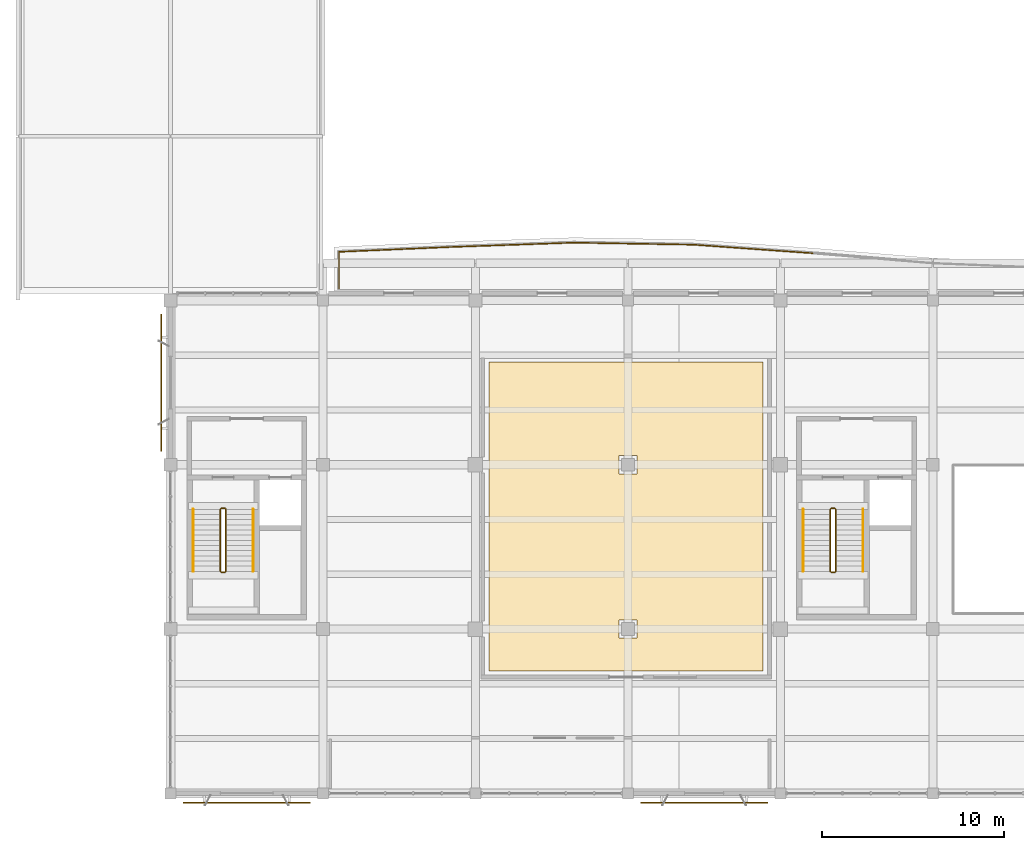
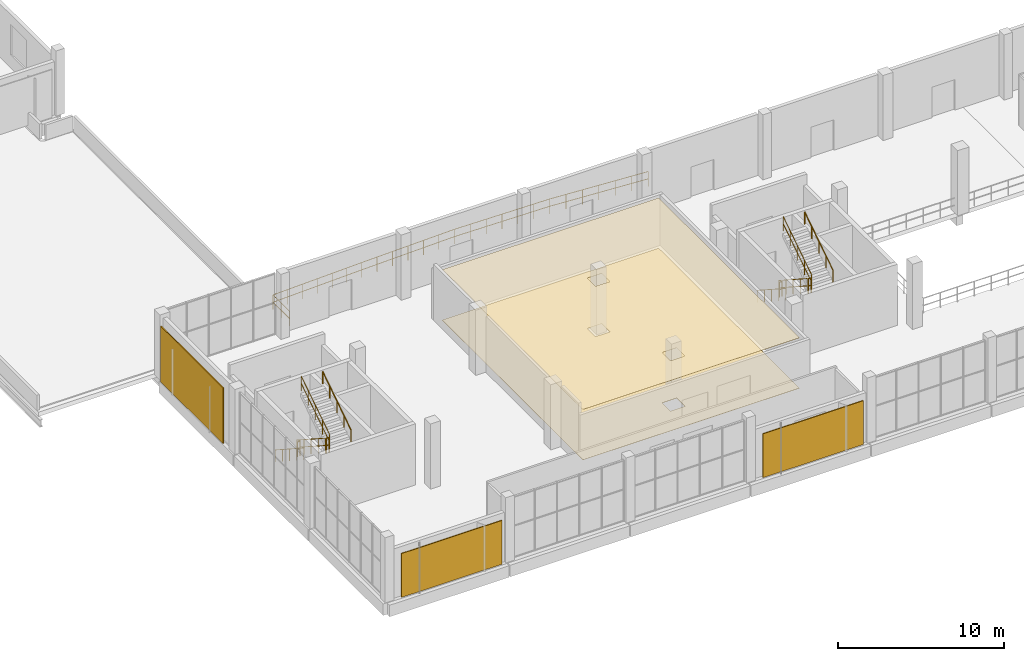
# One storey, part 69 of 80: 17 railings, 3 shading devices, 2 coverings.
"""IFC4 building model written with IfcOpenShell, lengths in metres."""

from ifc_helpers import new_model, si_unit, direction, frame, origin, origin_2d, place, context, subcontext, project, spatial, polyline, rectangle, circle, outline, extrude, material, layer, layer_set, type_object, element, save


model = new_model("IFC4")

# Units and contexts
model_context = context("Model", 3, precision=1e-05, world=origin(), true_north=direction((0.0, 1.0)))
body_context = subcontext(model_context, "Body", "Model", "MODEL_VIEW")
ifc_project = project(units=[si_unit("LENGTHUNIT", "METRE"), si_unit("AREAUNIT", "SQUARE_METRE"), si_unit("VOLUMEUNIT", "CUBIC_METRE"), si_unit("PLANEANGLEUNIT", "RADIAN"), si_unit("MASSUNIT", "GRAM", prefix="KILO")], contexts=[model_context])

# Site, building, storey
site_placement = place(None, origin())
site = spatial("IfcSite", under=ifc_project, at=site_placement, CompositionType="ELEMENT")
building_placement = place(site_placement, origin())
building = spatial("IfcBuilding", under=site, at=building_placement, Name="Khurvash Pelagic Aquarium", CompositionType="ELEMENT")
storey_placement = place(building_placement, frame((0.0, 0.0, 10.800048828125)))
storey = spatial("IfcBuildingStorey", under=building, at=storey_placement, Name="L02", CompositionType="ELEMENT", Elevation=10.800048828125)

# Railings
ifc_material_1 = material(Name="Laminated glass and stainless steel 316", Category="steel")
railing_type_1 = type_object("IfcRailingType", Name="BL-01", PredefinedType="BALUSTRADE", material=ifc_material_1)
railing_1_placement = place(storey_placement, frame((34.47998046875, 30.429931640625, 0.0)))
element("IfcRailing", 1, at=railing_1_placement, inside=storey, type_object=railing_type_1, Name="L02 Planted Terrace Perimeter Balustrade BL-01 0016", PredefinedType="BALUSTRADE", context=body_context, shape_type="SweptSolid", body=[
    extrude(circle(Radius=0.02392578125, at=origin_2d()), frame((0.0, 0.0, 1.076171875), z_axis=(0.0, 1.0, 0.0), x_axis=(-1.0, 0.0, 0.0)), (0.0, 0.0, 1.0), 2.001953125),
    extrude(circle(Radius=0.02392578125, at=origin_2d()), frame((0.0, 0.0, 0.5380859375), z_axis=(0.0, 1.0, 0.0), x_axis=(-1.0, 0.0, 0.0)), (0.0, 0.0, 1.0), 2.001953125),
    extrude(circle(Radius=0.02099609375, at=origin_2d()), origin(), (0.0, 0.0, 1.0), 1.052001953125),
    extrude(circle(Radius=0.02099609375, at=origin_2d()), frame((0.0, 1.0009765625, 0.0)), (0.0, 0.0, 1.0), 1.052001953125),
    extrude(circle(Radius=0.02099609375, at=origin_2d()), frame((0.0, 2.001953125, 0.0)), (0.0, 0.0, 1.0), 1.052001953125),
])
railing_2_placement = place(storey_placement, frame((34.47998046875, 32.431884765625, 0.0)))
element("IfcRailing", 2, at=railing_2_placement, inside=storey, type_object=railing_type_1, Name="L02 Planted Terrace Perimeter Balustrade BL-01 0017", PredefinedType="BALUSTRADE", context=body_context, shape_type="SweptSolid", body=[
    extrude(circle(Radius=0.02392578125, at=origin_2d()), frame((0.0, 0.0, 1.076171875), z_axis=(0.999070280019, 0.043111200191, 0.0), x_axis=(-0.043111200191, 0.999070280019, 0.0)), (0.0, 0.0, 1.0), 6.3369140625),
    extrude(circle(Radius=0.02392578125, at=origin_2d()), frame((0.0, 0.0, 0.5380859375), z_axis=(0.999070280019, 0.043111200191, 0.0), x_axis=(-0.043111200191, 0.999070280019, 0.0)), (0.0, 0.0, 1.0), 6.3369140625),
    extrude(circle(Radius=0.02099609375, at=origin_2d()), origin(), (0.0, 0.0, 1.0), 1.052001953125),
    extrude(circle(Radius=0.02099609375, at=origin_2d()), frame((1.05517578125, 0.04541015625, 0.0)), (0.0, 0.0, 1.0), 1.052001953125),
    extrude(circle(Radius=0.02099609375, at=origin_2d()), frame((2.1103515625, 0.091064453125, 0.0)), (0.0, 0.0, 1.0), 1.052001953125),
    extrude(circle(Radius=0.02099609375, at=origin_2d()), frame((3.16552734375, 0.13671875, 0.0)), (0.0, 0.0, 1.0), 1.052001953125),
    extrude(circle(Radius=0.02099609375, at=origin_2d()), frame((4.220703125, 0.18212890625, 0.0)), (0.0, 0.0, 1.0), 1.052001953125),
    extrude(circle(Radius=0.02099609375, at=origin_2d()), frame((5.27587890625, 0.2275390625, 0.0)), (0.0, 0.0, 1.0), 1.052001953125),
    extrude(circle(Radius=0.02099609375, at=origin_2d()), frame((6.3310546875, 0.273193359375, 0.0)), (0.0, 0.0, 1.0), 1.052001953125),
])
railing_3_placement = place(storey_placement, frame((40.81103515625, 32.705078125, 0.0)))
element("IfcRailing", 3, at=railing_3_placement, inside=storey, type_object=railing_type_1, Name="L02 Planted Terrace Perimeter Balustrade BL-01 0018", PredefinedType="BALUSTRADE", context=body_context, shape_type="SweptSolid", body=[
    extrude(circle(Radius=0.02392578125, at=origin_2d()), frame((0.0, 0.0, 1.076171875), z_axis=(0.999381621283, 0.035162125115, 0.0), x_axis=(-0.035162125115, 0.999381621283, 0.0)), (0.0, 0.0, 1.0), 6.59619140625),
    extrude(circle(Radius=0.02392578125, at=origin_2d()), frame((0.0, 0.0, 0.5380859375), z_axis=(0.999381621283, 0.035162125115, 0.0), x_axis=(-0.035162125115, 0.999381621283, 0.0)), (0.0, 0.0, 1.0), 6.59619140625),
    extrude(circle(Radius=0.02099609375, at=origin_2d()), origin(), (0.0, 0.0, 1.0), 1.052001953125),
    extrude(circle(Radius=0.02099609375, at=origin_2d()), frame((1.0986328125, 0.03857421875, 0.0)), (0.0, 0.0, 1.0), 1.052001953125),
    extrude(circle(Radius=0.02099609375, at=origin_2d()), frame((2.197265625, 0.077392578125, 0.0)), (0.0, 0.0, 1.0), 1.052001953125),
    extrude(circle(Radius=0.02099609375, at=origin_2d()), frame((3.2958984375, 0.115966796875, 0.0)), (0.0, 0.0, 1.0), 1.052001953125),
    extrude(circle(Radius=0.02099609375, at=origin_2d()), frame((4.394775390625, 0.154541015625, 0.0)), (0.0, 0.0, 1.0), 1.052001953125),
    extrude(circle(Radius=0.02099609375, at=origin_2d()), frame((5.493408203125, 0.193359375, 0.0)), (0.0, 0.0, 1.0), 1.052001953125),
    extrude(circle(Radius=0.02099609375, at=origin_2d()), frame((6.592041015625, 0.23193359375, 0.0)), (0.0, 0.0, 1.0), 1.052001953125),
])
railing_4_placement = place(storey_placement, frame((47.403076171875, 32.93701171875, 0.0)))
element("IfcRailing", 4, at=railing_4_placement, inside=storey, type_object=railing_type_1, Name="L02 Planted Terrace Perimeter Balustrade BL-01 0019", PredefinedType="BALUSTRADE", context=body_context, shape_type="SweptSolid", body=[
    extrude(circle(Radius=0.02392578125, at=origin_2d()), frame((0.0, 0.0, 1.076171875), z_axis=(0.999857742944, -0.016866946205, 0.0), x_axis=(0.016866946205, 0.999857742944, 0.0)), (0.0, 0.0, 1.0), 6.5859375),
    extrude(circle(Radius=0.02392578125, at=origin_2d()), frame((0.0, 0.0, 0.5380859375), z_axis=(0.999857742944, -0.016866946205, 0.0), x_axis=(0.016866946205, 0.999857742944, 0.0)), (0.0, 0.0, 1.0), 6.5859375),
    extrude(circle(Radius=0.02099609375, at=origin_2d()), origin(), (0.0, 0.0, 1.0), 1.052001953125),
    extrude(circle(Radius=0.02099609375, at=origin_2d()), frame((1.097412109375, -0.0185546875, 0.0)), (0.0, 0.0, 1.0), 1.052001953125),
    extrude(circle(Radius=0.02099609375, at=origin_2d()), frame((2.195068359375, -0.037109375, 0.0)), (0.0, 0.0, 1.0), 1.052001953125),
    extrude(circle(Radius=0.02099609375, at=origin_2d()), frame((3.29248046875, -0.0556640625, 0.0)), (0.0, 0.0, 1.0), 1.052001953125),
    extrude(circle(Radius=0.02099609375, at=origin_2d()), frame((4.389892578125, -0.073974609375, 0.0)), (0.0, 0.0, 1.0), 1.052001953125),
    extrude(circle(Radius=0.02099609375, at=origin_2d()), frame((5.487548828125, -0.092529296875, 0.0)), (0.0, 0.0, 1.0), 1.052001953125),
    extrude(circle(Radius=0.02099609375, at=origin_2d()), frame((6.5849609375, -0.111083984375, 0.0)), (0.0, 0.0, 1.0), 1.052001953125),
])
railing_5_placement = place(storey_placement, frame((53.988037109375, 32.825927734375, 0.0)))
element("IfcRailing", 5, at=railing_5_placement, inside=storey, type_object=railing_type_1, Name="L02 Planted Terrace Perimeter Balustrade BL-01 0020", PredefinedType="BALUSTRADE", context=body_context, shape_type="SweptSolid", body=[
    extrude(circle(Radius=0.02392578125, at=origin_2d()), frame((0.0, 0.0, 1.076171875), z_axis=(0.997466572283, -0.071136749839, 0.0), x_axis=(0.071136749839, 0.997466572283, 0.0)), (0.0, 0.0, 1.0), 6.606689453125),
    extrude(circle(Radius=0.02392578125, at=origin_2d()), frame((0.0, 0.0, 0.5380859375), z_axis=(0.997466572283, -0.071136749839, 0.0), x_axis=(0.071136749839, 0.997466572283, 0.0)), (0.0, 0.0, 1.0), 6.606689453125),
    extrude(circle(Radius=0.02099609375, at=origin_2d()), origin(), (0.0, 0.0, 1.0), 1.052001953125),
    extrude(circle(Radius=0.02099609375, at=origin_2d()), frame((1.098388671875, -0.078369140625, 0.0)), (0.0, 0.0, 1.0), 1.052001953125),
    extrude(circle(Radius=0.02099609375, at=origin_2d()), frame((2.196533203125, -0.15673828125, 0.0)), (0.0, 0.0, 1.0), 1.052001953125),
    extrude(circle(Radius=0.02099609375, at=origin_2d()), frame((3.294921875, -0.23486328125, 0.0)), (0.0, 0.0, 1.0), 1.052001953125),
    extrude(circle(Radius=0.02099609375, at=origin_2d()), frame((4.393310546875, -0.313232421875, 0.0)), (0.0, 0.0, 1.0), 1.052001953125),
    extrude(circle(Radius=0.02099609375, at=origin_2d()), frame((5.491455078125, -0.3916015625, 0.0)), (0.0, 0.0, 1.0), 1.052001953125),
    extrude(circle(Radius=0.02099609375, at=origin_2d()), frame((6.58984375, -0.469970703125, 0.0)), (0.0, 0.0, 1.0), 1.052001953125),
])

# Coverings
ifc_material_2 = material(Name="Moisture-resistant acoustic mineral-fibre ceiling", Category="finish")
ifc_layer_1 = layer(ifc_material_2, 0.02490234375)
ifc_layer_set_1 = layer_set([ifc_layer_1], Name="Moisture-resistant acoustic mineral-fibre ceiling")
covering_type_1 = type_object("IfcCoveringType", Name="CV-CLG", PredefinedType="CEILING", material=ifc_layer_set_1)
covering_1_placement = place(storey_placement, frame((0.0, 0.0, 3.704833984375)))
element("IfcCovering", 6, at=covering_1_placement, inside=storey, type_object=covering_type_1, Name="L02 Himalayan Snow Trout Coldwater Gallery Suspended Acoustic Ceiling", PredefinedType="CEILING", context=body_context, shape_type="SweptSolid", body=[
    extrude(outline(polyline([(42.75, 26.35009765625), (42.75, 9.35009765625), (57.85009765625, 9.35009765625), (57.85009765625, 26.35009765625), (42.75, 26.35009765625)]), holes=[polyline([(50.89990234375, 12.14990234375), (50.89990234375, 11.14990234375), (49.89990234375, 11.14990234375), (49.89990234375, 12.14990234375), (50.89990234375, 12.14990234375)]), polyline([(50.89990234375, 20.199951171875), (49.89990234375, 20.199951171875), (49.89990234375, 21.199951171875), (50.89990234375, 21.199951171875), (50.89990234375, 20.199951171875)])]), origin(), (0.0, 0.0, 1.0), 0.025146484375),
])
ifc_material_3 = material(Name="Slip-resistant terrazzo and epoxy resin flooring", Category="finish")
ifc_layer_2 = layer(ifc_material_3, 0.02001953125)
ifc_layer_set_2 = layer_set([ifc_layer_2], Name="Slip-resistant terrazzo and epoxy resin flooring")
covering_type_2 = type_object("IfcCoveringType", Name="CV-FLR", PredefinedType="FLOORING", material=ifc_layer_set_2)
covering_2_placement = place(storey_placement, origin())
element("IfcCovering", 7, at=covering_2_placement, inside=storey, type_object=covering_type_2, Name="L02 Himalayan Snow Trout Coldwater Gallery Terrazzo Floor Finish", PredefinedType="FLOORING", context=body_context, shape_type="SweptSolid", body=[
    extrude(outline(polyline([(42.75, 26.35009765625), (42.75, 9.35009765625), (57.85009765625, 9.35009765625), (57.85009765625, 26.35009765625), (42.75, 26.35009765625)]), holes=[polyline([(50.89990234375, 12.14990234375), (50.89990234375, 11.14990234375), (49.89990234375, 11.14990234375), (49.89990234375, 12.14990234375), (50.89990234375, 12.14990234375)]), polyline([(50.89990234375, 20.199951171875), (49.89990234375, 20.199951171875), (49.89990234375, 21.199951171875), (50.89990234375, 21.199951171875), (50.89990234375, 20.199951171875)])]), origin(), (0.0, 0.0, 1.0), 0.02001953125),
])

# Railings
ifc_material_4 = material(Name="Powder-coated galvanised steel S355J2", Category="steel")
railing_type_2 = type_object("IfcRailingType", Name="GR-01", PredefinedType="GUARDRAIL", material=ifc_material_4)
railing_6_placement = place(storey_placement, frame((27.949951171875, 18.25, 0.1845703125)))
element("IfcRailing", 8, at=railing_6_placement, inside=storey, type_object=railing_type_2, Name="L02 ST-01 stair guard 1", PredefinedType="GUARDRAIL", context=body_context, shape_type="SweptSolid", body=[
    extrude(circle(Radius=0.02392578125, at=origin_2d()), frame((0.0, 0.0, 1.076171875), z_axis=(0.0, -0.839296777647, 0.54367354086), x_axis=(1.0, 0.0, 0.0)), (0.0, 0.0, 1.0), 4.07470703125),
    extrude(circle(Radius=0.02392578125, at=origin_2d()), frame((0.0, 0.0, 0.5380859375), z_axis=(0.0, -0.839296777647, 0.54367354086), x_axis=(1.0, 0.0, 0.0)), (0.0, 0.0, 1.0), 4.07470703125),
    extrude(circle(Radius=0.02099609375, at=origin_2d()), origin(), (0.0, 0.0, 1.0), 1.052001953125),
    extrude(circle(Radius=0.02099609375, at=origin_2d()), frame((0.0, -0.85498046875, 0.5537109375)), (0.0, 0.0, 1.0), 1.052001953125),
    extrude(circle(Radius=0.02099609375, at=origin_2d()), frame((0.0, -1.7099609375, 1.107666015625)), (0.0, 0.0, 1.0), 1.052001953125),
    extrude(circle(Radius=0.02099609375, at=origin_2d()), frame((0.0, -2.56494140625, 1.66162109375)), (0.0, 0.0, 1.0), 1.052001953125),
    extrude(circle(Radius=0.02099609375, at=origin_2d()), frame((0.0, -3.419921875, 2.21533203125)), (0.0, 0.0, 1.0), 1.052001953125),
])
railing_7_placement = place(storey_placement, frame((28.0, 14.780029296875, 2.39990234375)))
element("IfcRailing", 9, at=railing_7_placement, inside=storey, type_object=railing_type_2, Name="L02 ST-01 stair guard 2", PredefinedType="GUARDRAIL", context=body_context, shape_type="SweptSolid", body=[
    extrude(circle(Radius=0.02392578125, at=origin_2d()), frame((0.0, 0.0, 1.076171875), z_axis=(1.0, 0.0, 0.0), x_axis=(0.0, 1.0, 0.0)), (0.0, 0.0, 1.0), 0.199951171875),
    extrude(circle(Radius=0.02392578125, at=origin_2d()), frame((0.0, 0.0, 0.5380859375), z_axis=(1.0, 0.0, 0.0), x_axis=(0.0, 1.0, 0.0)), (0.0, 0.0, 1.0), 0.199951171875),
    extrude(circle(Radius=0.02099609375, at=origin_2d()), origin(), (0.0, 0.0, 1.0), 1.052001953125),
    extrude(circle(Radius=0.02099609375, at=origin_2d()), frame((0.199951171875, 0.0, 0.0)), (0.0, 0.0, 1.0), 1.052001953125),
])
railing_8_placement = place(storey_placement, frame((28.25, 14.830078125, 2.58447265625)))
element("IfcRailing", 10, at=railing_8_placement, inside=storey, type_object=railing_type_2, Name="L02 ST-01 stair guard 3", PredefinedType="GUARDRAIL", context=body_context, shape_type="SweptSolid", body=[
    extrude(circle(Radius=0.02392578125, at=origin_2d()), frame((0.0, 0.0, 1.076171875), z_axis=(0.0, 0.839269437812, 0.543715744442), x_axis=(-1.0, 0.0, 0.0)), (0.0, 0.0, 1.0), 4.074951171875),
    extrude(circle(Radius=0.02392578125, at=origin_2d()), frame((0.0, 0.0, 0.5380859375), z_axis=(0.0, 0.839269437812, 0.543715744442), x_axis=(-1.0, 0.0, 0.0)), (0.0, 0.0, 1.0), 4.074951171875),
    extrude(circle(Radius=0.02099609375, at=origin_2d()), origin(), (0.0, 0.0, 1.0), 1.052001953125),
    extrude(circle(Radius=0.02099609375, at=origin_2d()), frame((0.0, 0.85498046875, 0.553955078125)), (0.0, 0.0, 1.0), 1.052001953125),
    extrude(circle(Radius=0.02099609375, at=origin_2d()), frame((0.0, 1.7099609375, 1.10791015625)), (0.0, 0.0, 1.0), 1.052001953125),
    extrude(circle(Radius=0.02099609375, at=origin_2d()), frame((0.0, 2.56494140625, 1.66162109375)), (0.0, 0.0, 1.0), 1.052001953125),
    extrude(circle(Radius=0.02099609375, at=origin_2d()), frame((0.0, 3.419921875, 2.215576171875)), (0.0, 0.0, 1.0), 1.052001953125),
])
railing_9_placement = place(storey_placement, frame((28.0, 18.300048828125, 0.0)))
element("IfcRailing", 11, at=railing_9_placement, inside=storey, type_object=railing_type_2, Name="L02 ST-01 stair guard 4", PredefinedType="GUARDRAIL", context=body_context, shape_type="SweptSolid", body=[
    extrude(circle(Radius=0.02392578125, at=origin_2d()), frame((0.0, 0.0, 1.076171875), z_axis=(1.0, 0.0, 0.0), x_axis=(0.0, 1.0, 0.0)), (0.0, 0.0, 1.0), 0.199951171875),
    extrude(circle(Radius=0.02392578125, at=origin_2d()), frame((0.0, 0.0, 0.5380859375), z_axis=(1.0, 0.0, 0.0), x_axis=(0.0, 1.0, 0.0)), (0.0, 0.0, 1.0), 0.199951171875),
    extrude(circle(Radius=0.02099609375, at=origin_2d()), origin(), (0.0, 0.0, 1.0), 1.052001953125),
    extrude(circle(Radius=0.02099609375, at=origin_2d()), frame((0.199951171875, 0.0, 0.0)), (0.0, 0.0, 1.0), 1.052001953125),
])
railing_10_placement = place(storey_placement, frame((61.550048828125, 18.25, 0.1845703125)))
element("IfcRailing", 12, at=railing_10_placement, inside=storey, type_object=railing_type_2, Name="L02 ST-02 stair guard 1", PredefinedType="GUARDRAIL", context=body_context, shape_type="SweptSolid", body=[
    extrude(circle(Radius=0.02392578125, at=origin_2d()), frame((0.0, 0.0, 1.076171875), z_axis=(0.0, -0.839296777647, 0.54367354086), x_axis=(1.0, 0.0, 0.0)), (0.0, 0.0, 1.0), 4.07470703125),
    extrude(circle(Radius=0.02392578125, at=origin_2d()), frame((0.0, 0.0, 0.5380859375), z_axis=(0.0, -0.839296777647, 0.54367354086), x_axis=(1.0, 0.0, 0.0)), (0.0, 0.0, 1.0), 4.07470703125),
    extrude(circle(Radius=0.02099609375, at=origin_2d()), origin(), (0.0, 0.0, 1.0), 1.052001953125),
    extrude(circle(Radius=0.02099609375, at=origin_2d()), frame((0.0, -0.85498046875, 0.5537109375)), (0.0, 0.0, 1.0), 1.052001953125),
    extrude(circle(Radius=0.02099609375, at=origin_2d()), frame((0.0, -1.7099609375, 1.107666015625)), (0.0, 0.0, 1.0), 1.052001953125),
    extrude(circle(Radius=0.02099609375, at=origin_2d()), frame((0.0, -2.56494140625, 1.66162109375)), (0.0, 0.0, 1.0), 1.052001953125),
    extrude(circle(Radius=0.02099609375, at=origin_2d()), frame((0.0, -3.419921875, 2.21533203125)), (0.0, 0.0, 1.0), 1.052001953125),
])
railing_11_placement = place(storey_placement, frame((61.60009765625, 14.780029296875, 2.39990234375)))
element("IfcRailing", 13, at=railing_11_placement, inside=storey, type_object=railing_type_2, Name="L02 ST-02 stair guard 2", PredefinedType="GUARDRAIL", context=body_context, shape_type="SweptSolid", body=[
    extrude(circle(Radius=0.02392578125, at=origin_2d()), frame((0.0, 0.0, 1.076171875), z_axis=(1.0, 0.0, 0.0), x_axis=(0.0, 1.0, 0.0)), (0.0, 0.0, 1.0), 0.199951171875),
    extrude(circle(Radius=0.02392578125, at=origin_2d()), frame((0.0, 0.0, 0.5380859375), z_axis=(1.0, 0.0, 0.0), x_axis=(0.0, 1.0, 0.0)), (0.0, 0.0, 1.0), 0.199951171875),
    extrude(circle(Radius=0.02099609375, at=origin_2d()), origin(), (0.0, 0.0, 1.0), 1.052001953125),
    extrude(circle(Radius=0.02099609375, at=origin_2d()), frame((0.199951171875, 0.0, 0.0)), (0.0, 0.0, 1.0), 1.052001953125),
])
railing_12_placement = place(storey_placement, frame((61.85009765625, 14.830078125, 2.58447265625)))
element("IfcRailing", 14, at=railing_12_placement, inside=storey, type_object=railing_type_2, Name="L02 ST-02 stair guard 3", PredefinedType="GUARDRAIL", context=body_context, shape_type="SweptSolid", body=[
    extrude(circle(Radius=0.02392578125, at=origin_2d()), frame((0.0, 0.0, 1.076171875), z_axis=(0.0, 0.839269437812, 0.543715744442), x_axis=(-1.0, 0.0, 0.0)), (0.0, 0.0, 1.0), 4.074951171875),
    extrude(circle(Radius=0.02392578125, at=origin_2d()), frame((0.0, 0.0, 0.5380859375), z_axis=(0.0, 0.839269437812, 0.543715744442), x_axis=(-1.0, 0.0, 0.0)), (0.0, 0.0, 1.0), 4.074951171875),
    extrude(circle(Radius=0.02099609375, at=origin_2d()), origin(), (0.0, 0.0, 1.0), 1.052001953125),
    extrude(circle(Radius=0.02099609375, at=origin_2d()), frame((0.0, 0.85498046875, 0.553955078125)), (0.0, 0.0, 1.0), 1.052001953125),
    extrude(circle(Radius=0.02099609375, at=origin_2d()), frame((0.0, 1.7099609375, 1.10791015625)), (0.0, 0.0, 1.0), 1.052001953125),
    extrude(circle(Radius=0.02099609375, at=origin_2d()), frame((0.0, 2.56494140625, 1.66162109375)), (0.0, 0.0, 1.0), 1.052001953125),
    extrude(circle(Radius=0.02099609375, at=origin_2d()), frame((0.0, 3.419921875, 2.215576171875)), (0.0, 0.0, 1.0), 1.052001953125),
])
railing_13_placement = place(storey_placement, frame((61.60009765625, 18.300048828125, 0.0)))
element("IfcRailing", 15, at=railing_13_placement, inside=storey, type_object=railing_type_2, Name="L02 ST-02 stair guard 4", PredefinedType="GUARDRAIL", context=body_context, shape_type="SweptSolid", body=[
    extrude(circle(Radius=0.02392578125, at=origin_2d()), frame((0.0, 0.0, 1.076171875), z_axis=(1.0, 0.0, 0.0), x_axis=(0.0, 1.0, 0.0)), (0.0, 0.0, 1.0), 0.199951171875),
    extrude(circle(Radius=0.02392578125, at=origin_2d()), frame((0.0, 0.0, 0.5380859375), z_axis=(1.0, 0.0, 0.0), x_axis=(0.0, 1.0, 0.0)), (0.0, 0.0, 1.0), 0.199951171875),
    extrude(circle(Radius=0.02099609375, at=origin_2d()), origin(), (0.0, 0.0, 1.0), 1.052001953125),
    extrude(circle(Radius=0.02099609375, at=origin_2d()), frame((0.199951171875, 0.0, 0.0)), (0.0, 0.0, 1.0), 1.052001953125),
])
ifc_material_5 = material(Name="Brushed stainless steel 316", Category="steel")
railing_type_3 = type_object("IfcRailingType", Name="HR-01", PredefinedType="HANDRAIL", material=ifc_material_5)
railing_14_placement = place(storey_placement, frame((26.449951171875, 18.25, 0.1845703125)))
element("IfcRailing", 16, at=railing_14_placement, inside=storey, type_object=railing_type_3, Name="L02 ST-01 stair handrail 1", PredefinedType="HANDRAIL", context=body_context, shape_type="SweptSolid", body=[
    extrude(circle(Radius=0.02392578125, at=origin_2d()), frame((0.0, 0.0, 0.8759765625), z_axis=(0.0, -0.839296777647, 0.54367354086), x_axis=(1.0, 0.0, 0.0)), (0.0, 0.0, 1.0), 4.07470703125),
    extrude(circle(Radius=0.02099609375, at=origin_2d()), origin(), (0.0, 0.0, 1.0), 0.851806640625),
    extrude(circle(Radius=0.02099609375, at=origin_2d()), frame((0.0, -0.85498046875, 0.5537109375)), (0.0, 0.0, 1.0), 0.851806640625),
    extrude(circle(Radius=0.02099609375, at=origin_2d()), frame((0.0, -1.7099609375, 1.107666015625)), (0.0, 0.0, 1.0), 0.851806640625),
    extrude(circle(Radius=0.02099609375, at=origin_2d()), frame((0.0, -2.56494140625, 1.66162109375)), (0.0, 0.0, 1.0), 0.851806640625),
    extrude(circle(Radius=0.02099609375, at=origin_2d()), frame((0.0, -3.419921875, 2.21533203125)), (0.0, 0.0, 1.0), 0.851806640625),
])
railing_15_placement = place(storey_placement, frame((29.75, 14.830078125, 2.58447265625)))
element("IfcRailing", 17, at=railing_15_placement, inside=storey, type_object=railing_type_3, Name="L02 ST-01 stair handrail 2", PredefinedType="HANDRAIL", context=body_context, shape_type="SweptSolid", body=[
    extrude(circle(Radius=0.02392578125, at=origin_2d()), frame((0.0, 0.0, 0.8759765625), z_axis=(0.0, 0.839269437812, 0.543715744442), x_axis=(-1.0, 0.0, 0.0)), (0.0, 0.0, 1.0), 4.074951171875),
    extrude(circle(Radius=0.02099609375, at=origin_2d()), origin(), (0.0, 0.0, 1.0), 0.851806640625),
    extrude(circle(Radius=0.02099609375, at=origin_2d()), frame((0.0, 0.85498046875, 0.553955078125)), (0.0, 0.0, 1.0), 0.851806640625),
    extrude(circle(Radius=0.02099609375, at=origin_2d()), frame((0.0, 1.7099609375, 1.10791015625)), (0.0, 0.0, 1.0), 0.851806640625),
    extrude(circle(Radius=0.02099609375, at=origin_2d()), frame((0.0, 2.56494140625, 1.66162109375)), (0.0, 0.0, 1.0), 0.851806640625),
    extrude(circle(Radius=0.02099609375, at=origin_2d()), frame((0.0, 3.419921875, 2.215576171875)), (0.0, 0.0, 1.0), 0.851806640625),
])
railing_16_placement = place(storey_placement, frame((60.050048828125, 18.25, 0.1845703125)))
element("IfcRailing", 18, at=railing_16_placement, inside=storey, type_object=railing_type_3, Name="L02 ST-02 stair handrail 1", PredefinedType="HANDRAIL", context=body_context, shape_type="SweptSolid", body=[
    extrude(circle(Radius=0.02392578125, at=origin_2d()), frame((0.0, 0.0, 0.8759765625), z_axis=(0.0, -0.839296777647, 0.54367354086), x_axis=(1.0, 0.0, 0.0)), (0.0, 0.0, 1.0), 4.07470703125),
    extrude(circle(Radius=0.02099609375, at=origin_2d()), origin(), (0.0, 0.0, 1.0), 0.851806640625),
    extrude(circle(Radius=0.02099609375, at=origin_2d()), frame((0.0, -0.85498046875, 0.5537109375)), (0.0, 0.0, 1.0), 0.851806640625),
    extrude(circle(Radius=0.02099609375, at=origin_2d()), frame((0.0, -1.7099609375, 1.107666015625)), (0.0, 0.0, 1.0), 0.851806640625),
    extrude(circle(Radius=0.02099609375, at=origin_2d()), frame((0.0, -2.56494140625, 1.66162109375)), (0.0, 0.0, 1.0), 0.851806640625),
    extrude(circle(Radius=0.02099609375, at=origin_2d()), frame((0.0, -3.419921875, 2.21533203125)), (0.0, 0.0, 1.0), 0.851806640625),
])
railing_17_placement = place(storey_placement, frame((63.35009765625, 14.830078125, 2.58447265625)))
element("IfcRailing", 19, at=railing_17_placement, inside=storey, type_object=railing_type_3, Name="L02 ST-02 stair handrail 2", PredefinedType="HANDRAIL", context=body_context, shape_type="SweptSolid", body=[
    extrude(circle(Radius=0.02392578125, at=origin_2d()), frame((0.0, 0.0, 0.8759765625), z_axis=(0.0, 0.839269437812, 0.543715744442), x_axis=(-1.0, 0.0, 0.0)), (0.0, 0.0, 1.0), 4.074951171875),
    extrude(circle(Radius=0.02099609375, at=origin_2d()), origin(), (0.0, 0.0, 1.0), 0.851806640625),
    extrude(circle(Radius=0.02099609375, at=origin_2d()), frame((0.0, 0.85498046875, 0.553955078125)), (0.0, 0.0, 1.0), 0.851806640625),
    extrude(circle(Radius=0.02099609375, at=origin_2d()), frame((0.0, 1.7099609375, 1.10791015625)), (0.0, 0.0, 1.0), 0.851806640625),
    extrude(circle(Radius=0.02099609375, at=origin_2d()), frame((0.0, 2.56494140625, 1.66162109375)), (0.0, 0.0, 1.0), 0.851806640625),
    extrude(circle(Radius=0.02099609375, at=origin_2d()), frame((0.0, 3.419921875, 2.215576171875)), (0.0, 0.0, 1.0), 0.851806640625),
])

# Shading devices
ifc_material_6 = material(Name="Extruded anodised aluminium fin", Category="aluminium")
ifc_layer_3 = layer(ifc_material_6, 0.074951171875)
ifc_layer_set_3 = layer_set([ifc_layer_3], Name="Extruded anodised aluminium fin")
shading_device_type_1 = type_object("IfcShadingDeviceType", Name="SH-FIN", PredefinedType="USERDEFINED", material=ifc_layer_set_3)
shading_device_placement = place(storey_placement, frame((24.68994140625, 25.22509765625, 0.199951171875), z_axis=(0.0, 0.0, 1.0), x_axis=(0.0, -1.0, 0.0)))
element("IfcShadingDevice", 20, at=shading_device_placement, inside=storey, type_object=shading_device_type_1, Name="L02 Perforated Aluminium Jali Screen SH-FIN 0012", ObjectType="SOLAR FIN", PredefinedType="USERDEFINED", context=body_context, shape_type="SweptSolid", body=[
    extrude(rectangle(XDim=7.5400390625, YDim=0.074951171875, at=origin_2d()), origin(), (0.0, 0.0, 1.0), 4.10009765625),
])
ifc_material_7 = material(Name="Perforated anodised aluminium AW-5005", Category="aluminium")
ifc_layer_4 = layer(ifc_material_7, 0.06005859375)
ifc_layer_set_4 = layer_set([ifc_layer_4], Name="Perforated anodised aluminium AW-5005")
shading_device_type_2 = type_object("IfcShadingDeviceType", Name="SH-JAL", PredefinedType="JALOUSIE", material=ifc_layer_set_4)
for number, where, z_axis, x_axis, name in (
    (21, (29.39990234375, 2.090087890625, 0.199951171875), (0.0, 0.0, 1.0), (1.0, 0.0, 0.0), "L02 Perforated Aluminium Jali Screen SH-JAL 0013"),
    (22, (54.60009765625, 2.090087890625, 0.199951171875), (0.0, 0.0, 1.0), (1.0, 0.0, 0.0), "L02 Perforated Aluminium Jali Screen SH-JAL 0014"),
):
    element("IfcShadingDevice", number, at=place(storey_placement, frame(where, z_axis=z_axis, x_axis=x_axis)), inside=storey, type_object=shading_device_type_2, Name=name, PredefinedType="JALOUSIE", context=body_context, shape_type="SweptSolid", body=[
        extrude(rectangle(XDim=6.989990234375, YDim=0.06005859375, at=origin_2d()), origin(), (0.0, 0.0, 1.0), 3.22998046875),
    ])

save(model, "model.ifc")
